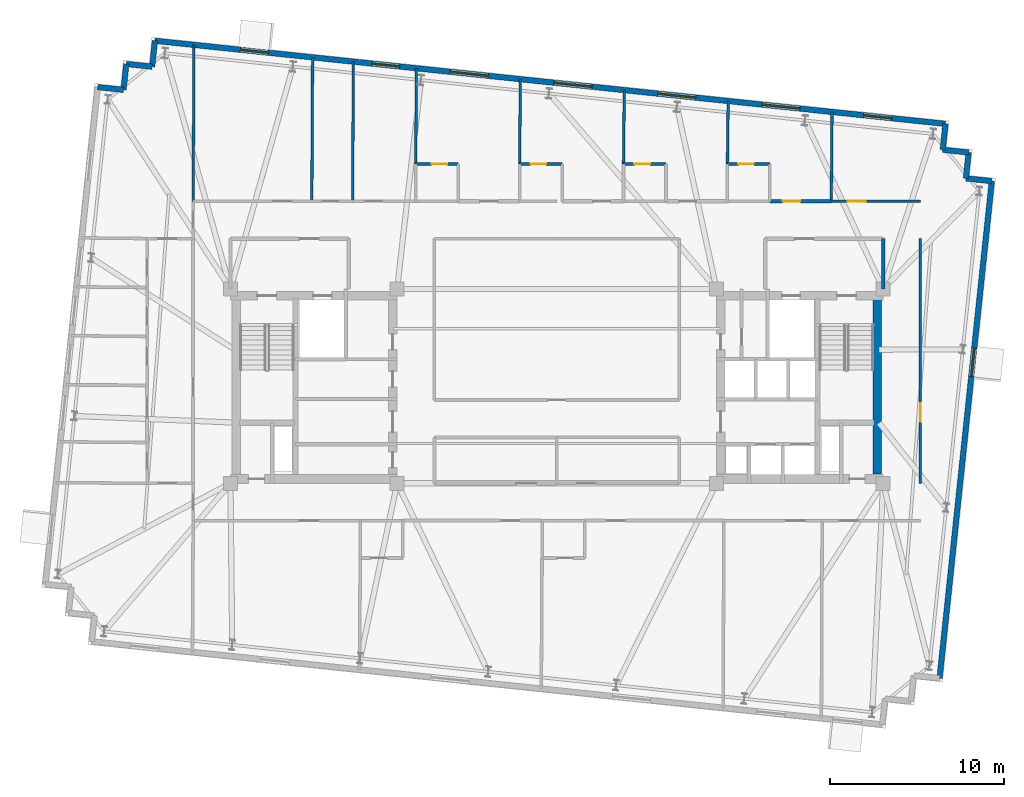
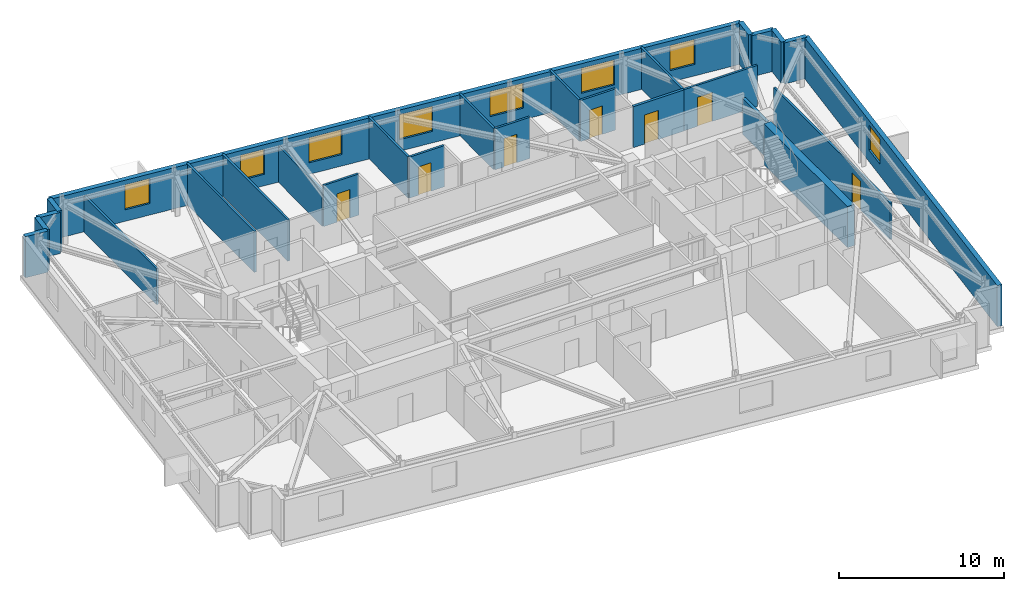
# One storey, part 9 of 12: 27 walls, 8 windows, 7 doors, 15 openings.
"""IFC4 building model written with IfcOpenShell, lengths in metres."""

from ifc_helpers import new_model, si_unit, direction, frame, frame_2d, origin, place, context, subcontext, project, spatial, rectangle, extrude, material, layer, layer_set, type_object, element, fill, save


model = new_model("IFC4")

# Units and contexts
model_context = context("Model", 3, precision=1e-05, world=origin(), true_north=direction((0.0, 1.0)))
body_context = subcontext(model_context, "Body", "Model", "MODEL_VIEW")
ifc_project = project(units=[si_unit("LENGTHUNIT", "METRE"), si_unit("AREAUNIT", "SQUARE_METRE"), si_unit("VOLUMEUNIT", "CUBIC_METRE"), si_unit("PLANEANGLEUNIT", "RADIAN"), si_unit("MASSUNIT", "GRAM", prefix="KILO")], contexts=[model_context])

# Site, building, storey
site_placement = place(None, origin())
site = spatial("IfcSite", under=ifc_project, at=site_placement, CompositionType="ELEMENT")
building_placement = place(site_placement, origin())
building = spatial("IfcBuilding", under=site, at=building_placement, Name="Qobustan Lattice House", CompositionType="ELEMENT")
storey_placement = place(building_placement, frame((0.0, 0.0, 183.0)))
storey = spatial("IfcBuildingStorey", under=building, at=storey_placement, Name="L51", CompositionType="ELEMENT", Elevation=183.0)

# Walls
ifc_material_1 = material(Name="Concrete C50/60", Category="concrete")
ifc_layer_1 = layer(ifc_material_1, 0.5)
ifc_layer_set_1 = layer_set([ifc_layer_1], Name="Concrete C50/60")
wall_type_1 = type_object("IfcWallType", Name="WAL-CORE-500", PredefinedType="SHEAR", material=ifc_layer_set_1)
wall_1_placement = place(storey_placement, frame((18.4599609375, -5.050048828125, 0.0), z_axis=(0.0, 0.0, 1.0), x_axis=(0.0, 1.0, 0.0)))
element("IfcWall", 1, at=wall_1_placement, inside=storey, type_object=wall_type_1, Name="L51 split-core shear wall CE-E", PredefinedType="SHEAR", context=body_context, shape_type="SweptSolid", body=[
    extrude(rectangle(XDim=10.10009765625, YDim=0.5, at=frame_2d((5.050048828125, 0.0))), origin(), (0.0, 0.0, 1.0), 3.0400390625),
])
ifc_material_2 = material(Name="Precast concrete C40/50", Category="concrete")
ifc_layer_2 = layer(ifc_material_2, 0.320068359375)
ifc_layer_set_2 = layer_set([ifc_layer_2], Name="Precast concrete C40/50")
wall_type_2 = type_object("IfcWallType", Name="WAL-EXT-STONE-320", PredefinedType="SOLIDWALL", material=ifc_layer_set_2)
wall_2_placement = place(storey_placement, frame((-26.452880859375, 17.228515625, 0.0), z_axis=(0.0, 0.0, 1.0), x_axis=(0.994508128223, -0.104659366031, 0.0)))
element("IfcWall", 2, at=wall_2_placement, inside=storey, type_object=wall_type_2, Name="L51 exterior limestone-clad wall 6", PredefinedType="SOLIDWALL", context=body_context, shape_type="SweptSolid", body=[
    extrude(rectangle(XDim=1.5, YDim=0.320068359375, at=frame_2d((0.75, 0.0))), origin(), (0.0, 0.0, 1.0), 3.0400390625),
])
wall_3_placement = place(storey_placement, frame((-24.961181640625, 17.071533203125, 0.0), z_axis=(0.0, 0.0, 1.0), x_axis=(0.104642427191, 0.994509910675, 0.0)))
element("IfcWall", 3, at=wall_3_placement, inside=storey, type_object=wall_type_2, Name="L51 exterior limestone-clad wall 7", PredefinedType="SOLIDWALL", context=body_context, shape_type="SweptSolid", body=[
    extrude(rectangle(XDim=1.500244140625, YDim=0.320068359375, at=frame_2d((0.75, 0.0))), origin(), (0.0, 0.0, 1.0), 3.0400390625),
])
wall_4_placement = place(storey_placement, frame((-24.80419921875, 18.5634765625, 0.0), z_axis=(0.0, 0.0, 1.0), x_axis=(0.994508128223, -0.104659366031, 0.0)))
element("IfcWall", 4, at=wall_4_placement, inside=storey, type_object=wall_type_2, Name="L51 exterior limestone-clad wall 8", PredefinedType="SOLIDWALL", context=body_context, shape_type="SweptSolid", body=[
    extrude(rectangle(XDim=1.5, YDim=0.320068359375, at=frame_2d((0.75, 0.0))), origin(), (0.0, 0.0, 1.0), 3.0400390625),
])
wall_5_placement = place(storey_placement, frame((-23.3125, 18.406494140625, 0.0), z_axis=(0.0, 0.0, 1.0), x_axis=(0.104481464157, 0.994526834051, 0.0)))
element("IfcWall", 5, at=wall_5_placement, inside=storey, type_object=wall_type_2, Name="L51 exterior limestone-clad wall 9", PredefinedType="SOLIDWALL", context=body_context, shape_type="SweptSolid", body=[
    extrude(rectangle(XDim=1.500244140625, YDim=0.320068359375, at=frame_2d((0.75, 0.0))), origin(), (0.0, 0.0, 1.0), 3.0400390625),
])

# Wall, openings, windows
wall_6_placement = place(storey_placement, frame((-23.15576171875, 19.8984375, 0.0), z_axis=(0.0, 0.0, 1.0), x_axis=(0.994522001802, -0.104527450613, 0.0)))
wall_6 = element("IfcWall", 6, at=wall_6_placement, inside=storey, type_object=wall_type_2, Name="L51 exterior limestone-clad wall 10", PredefinedType="SOLIDWALL", context=body_context, shape_type="SweptSolid", body=[
    extrude(rectangle(XDim=45.800048828125, YDim=0.320068359375, at=frame_2d((22.89990234375, 0.0))), origin(), (0.0, 0.0, 1.0), 3.0400390625),
])
opening_1_placement = place(wall_6_placement, frame((4.93994140625, 0.0, 0.85009765625)))
opening_1 = element("IfcOpeningElement", 7, at=opening_1_placement, cuts=wall_6, Name="Opening WN-09", PredefinedType="OPENING", context=body_context, shape_type="SweptSolid", body=[
    extrude(rectangle(XDim=1.64990234375, YDim=1.85009765625, at=frame_2d((0.824951171875, 0.925048828125))), frame((0.0, 0.169921875, 0.0), z_axis=(0.0, -1.0, 0.0), x_axis=(1.0, 0.0, 0.0)), (0.0, 0.0, 1.0), 0.340087890625),
])
opening_2_placement = place(wall_6_placement, frame((12.57177734375, 0.0, 0.85009765625)))
opening_2 = element("IfcOpeningElement", 8, at=opening_2_placement, cuts=wall_6, Name="Opening WN-13", PredefinedType="OPENING", context=body_context, shape_type="SweptSolid", body=[
    extrude(rectangle(XDim=1.60009765625, YDim=1.85009765625, at=frame_2d((0.800048828125, 0.925048828125))), frame((0.0, 0.169921875, 0.0), z_axis=(0.0, -1.0, 0.0), x_axis=(1.0, 0.0, 0.0)), (0.0, 0.0, 1.0), 0.340087890625),
])
opening_3_placement = place(wall_6_placement, frame((17.115966796875, 0.0, 0.85009765625)))
opening_3 = element("IfcOpeningElement", 9, at=opening_3_placement, cuts=wall_6, Name="Opening WN-03", PredefinedType="OPENING", context=body_context, shape_type="SweptSolid", body=[
    extrude(rectangle(XDim=2.199951171875, YDim=1.85009765625, at=frame_2d((1.10009765625, 0.925048828125))), frame((0.0, 0.169921875, 0.0), z_axis=(0.0, -1.0, 0.0), x_axis=(1.0, 0.0, 0.0)), (0.0, 0.0, 1.0), 0.340087890625),
])
opening_4_placement = place(wall_6_placement, frame((23.12109375, 0.0, 0.85009765625)))
opening_4 = element("IfcOpeningElement", 10, at=opening_4_placement, cuts=wall_6, Name="Opening WN-03", PredefinedType="OPENING", context=body_context, shape_type="SweptSolid", body=[
    extrude(rectangle(XDim=2.199951171875, YDim=1.85009765625, at=frame_2d((1.10009765625, 0.925048828125))), frame((0.0, 0.169921875, 0.0), z_axis=(0.0, -1.0, 0.0), x_axis=(1.0, 0.0, 0.0)), (0.0, 0.0, 1.0), 0.340087890625),
])
opening_5_placement = place(wall_6_placement, frame((29.12646484375, 0.0, 0.85009765625)))
opening_5 = element("IfcOpeningElement", 11, at=opening_5_placement, cuts=wall_6, Name="Opening WN-03", PredefinedType="OPENING", context=body_context, shape_type="SweptSolid", body=[
    extrude(rectangle(XDim=2.199951171875, YDim=1.85009765625, at=frame_2d((1.10009765625, 0.925048828125))), frame((0.0, 0.169921875, 0.0), z_axis=(0.0, -1.0, 0.0), x_axis=(1.0, 0.0, 0.0)), (0.0, 0.0, 1.0), 0.340087890625),
])
opening_6_placement = place(wall_6_placement, frame((35.171875, 0.0, 0.85009765625)))
opening_6 = element("IfcOpeningElement", 12, at=opening_6_placement, cuts=wall_6, Name="Opening WN-03", PredefinedType="OPENING", context=body_context, shape_type="SweptSolid", body=[
    extrude(rectangle(XDim=2.199951171875, YDim=1.85009765625, at=frame_2d((1.10009765625, 0.925048828125))), frame((0.0, 0.169921875, 0.0), z_axis=(0.0, -1.0, 0.0), x_axis=(1.0, 0.0, 0.0)), (0.0, 0.0, 1.0), 0.340087890625),
])
opening_7_placement = place(wall_6_placement, frame((41.0517578125, 0.0, 0.85009765625)))
opening_7 = element("IfcOpeningElement", 13, at=opening_7_placement, cuts=wall_6, Name="Opening WN-09", PredefinedType="OPENING", context=body_context, shape_type="SweptSolid", body=[
    extrude(rectangle(XDim=1.64990234375, YDim=1.85009765625, at=frame_2d((0.824951171875, 0.925048828125))), frame((0.0, 0.169921875, 0.0), z_axis=(0.0, -1.0, 0.0), x_axis=(1.0, 0.0, 0.0)), (0.0, 0.0, 1.0), 0.340087890625),
])
ifc_material_3 = material(Name="Double-glazed low-E aluminium window", Category="aluminium")
window_type_1 = type_object("IfcWindowType", Name="WIN-BED-1600x1850", PartitioningType="SINGLE_PANEL", PredefinedType="WINDOW", material=ifc_material_3)
window_1_placement = place(opening_2_placement, origin())
window_1 = element("IfcWindow", 14, at=window_1_placement, inside=storey, type_object=window_type_1, Name="L51 Laundry utility room window", OverallHeight=1.85009765625, OverallWidth=1.60009765625, PartitioningType="SINGLE_PANEL", PredefinedType="WINDOW", context=body_context, shape_type="SweptSolid", body=[
    extrude(rectangle(XDim=1.60009765625, YDim=1.85009765625, at=frame_2d((0.800048828125, 0.925048828125))), frame((0.0, 0.030029296875, 0.0), z_axis=(0.0, -1.0, 0.0), x_axis=(1.0, 0.0, 0.0)), (0.0, 0.0, 1.0), 0.06005859375),
])
fill(opening_2, window_1)
ifc_material_4 = material(Name="Double-glazed low-E aluminium window", Category="aluminium")
window_type_2 = type_object("IfcWindowType", Name="WIN-STU-1650x1850", PartitioningType="SINGLE_PANEL", PredefinedType="WINDOW", material=ifc_material_4)
window_2_placement = place(opening_1_placement, origin())
window_2 = element("IfcWindow", 15, at=window_2_placement, inside=storey, type_object=window_type_2, Name="L51 Focus study room N1 window", OverallHeight=1.85009765625, OverallWidth=1.64990234375, PartitioningType="SINGLE_PANEL", PredefinedType="WINDOW", context=body_context, shape_type="SweptSolid", body=[
    extrude(rectangle(XDim=1.64990234375, YDim=1.85009765625, at=frame_2d((0.824951171875, 0.925048828125))), frame((0.0, 0.030029296875, 0.0), z_axis=(0.0, -1.0, 0.0), x_axis=(1.0, 0.0, 0.0)), (0.0, 0.0, 1.0), 0.06005859375),
])
fill(opening_1, window_2)
window_3_placement = place(opening_7_placement, origin())
window_3 = element("IfcWindow", 16, at=window_3_placement, inside=storey, type_object=window_type_2, Name="L51 Focus study room N7 window", OverallHeight=1.85009765625, OverallWidth=1.64990234375, PartitioningType="SINGLE_PANEL", PredefinedType="WINDOW", context=body_context, shape_type="SweptSolid", body=[
    extrude(rectangle(XDim=1.64990234375, YDim=1.85009765625, at=frame_2d((0.824951171875, 0.925048828125))), frame((0.0, 0.030029296875, 0.0), z_axis=(0.0, -1.0, 0.0), x_axis=(1.0, 0.0, 0.0)), (0.0, 0.0, 1.0), 0.06005859375),
])
fill(opening_7, window_3)
ifc_material_5 = material(Name="Double-glazed low-E aluminium window", Category="aluminium")
window_type_3 = type_object("IfcWindowType", Name="WIN-WIDE-2200x1850", PartitioningType="SINGLE_PANEL", PredefinedType="WINDOW", material=ifc_material_5)
window_4_placement = place(opening_3_placement, origin())
window_4 = element("IfcWindow", 17, at=window_4_placement, inside=storey, type_object=window_type_3, Name="L51 Kitchenette and studio apartment L51-N3 window", OverallHeight=1.85009765625, OverallWidth=2.199951171875, PartitioningType="SINGLE_PANEL", PredefinedType="WINDOW", context=body_context, shape_type="SweptSolid", body=[
    extrude(rectangle(XDim=2.199951171875, YDim=1.85009765625, at=frame_2d((1.10009765625, 0.925048828125))), frame((0.0, 0.030029296875, 0.0), z_axis=(0.0, -1.0, 0.0), x_axis=(1.0, 0.0, 0.0)), (0.0, 0.0, 1.0), 0.06005859375),
])
fill(opening_3, window_4)
window_5_placement = place(opening_4_placement, origin())
window_5 = element("IfcWindow", 18, at=window_5_placement, inside=storey, type_object=window_type_3, Name="L51 Kitchenette and studio apartment L51-N4 window", OverallHeight=1.85009765625, OverallWidth=2.199951171875, PartitioningType="SINGLE_PANEL", PredefinedType="WINDOW", context=body_context, shape_type="SweptSolid", body=[
    extrude(rectangle(XDim=2.199951171875, YDim=1.85009765625, at=frame_2d((1.10009765625, 0.925048828125))), frame((0.0, 0.030029296875, 0.0), z_axis=(0.0, -1.0, 0.0), x_axis=(1.0, 0.0, 0.0)), (0.0, 0.0, 1.0), 0.06005859375),
])
fill(opening_4, window_5)
window_6_placement = place(opening_5_placement, origin())
window_6 = element("IfcWindow", 19, at=window_6_placement, inside=storey, type_object=window_type_3, Name="L51 Kitchenette and studio apartment L51-N5 window", OverallHeight=1.85009765625, OverallWidth=2.199951171875, PartitioningType="SINGLE_PANEL", PredefinedType="WINDOW", context=body_context, shape_type="SweptSolid", body=[
    extrude(rectangle(XDim=2.199951171875, YDim=1.85009765625, at=frame_2d((1.10009765625, 0.925048828125))), frame((0.0, 0.030029296875, 0.0), z_axis=(0.0, -1.0, 0.0), x_axis=(1.0, 0.0, 0.0)), (0.0, 0.0, 1.0), 0.06005859375),
])
fill(opening_5, window_6)
window_7_placement = place(opening_6_placement, origin())
window_7 = element("IfcWindow", 20, at=window_7_placement, inside=storey, type_object=window_type_3, Name="L51 Kitchenette and studio apartment L51-N6 window", OverallHeight=1.85009765625, OverallWidth=2.199951171875, PartitioningType="SINGLE_PANEL", PredefinedType="WINDOW", context=body_context, shape_type="SweptSolid", body=[
    extrude(rectangle(XDim=2.199951171875, YDim=1.85009765625, at=frame_2d((1.10009765625, 0.925048828125))), frame((0.0, 0.030029296875, 0.0), z_axis=(0.0, -1.0, 0.0), x_axis=(1.0, 0.0, 0.0)), (0.0, 0.0, 1.0), 0.06005859375),
])
fill(opening_6, window_7)

# Walls
wall_7_placement = place(storey_placement, frame((22.393310546875, 15.111083984375, 0.0), z_axis=(0.0, 0.0, 1.0), x_axis=(-0.104481464157, -0.994526834051, 0.0)))
element("IfcWall", 21, at=wall_7_placement, inside=storey, type_object=wall_type_2, Name="L51 exterior limestone-clad wall 11", PredefinedType="SOLIDWALL", context=body_context, shape_type="SweptSolid", body=[
    extrude(rectangle(XDim=1.500244140625, YDim=0.320068359375, at=frame_2d((0.75, 0.0))), origin(), (0.0, 0.0, 1.0), 3.0400390625),
])
for number, where, z_axis, x_axis, name in (
    (22, (22.236572265625, 13.619140625, 0.0), (0.0, 0.0, 1.0), (0.994525057048, -0.104498377516, 0.0), "L51 exterior limestone-clad wall 12"),
    (23, (23.728271484375, 13.46240234375, 0.0), (0.0, 0.0, 1.0), (-0.104498377516, -0.994525057048, 0.0), "L51 exterior limestone-clad wall 13"),
    (24, (23.571533203125, 11.970703125, 0.0), (0.0, 0.0, 1.0), (0.994508128223, -0.104659366031, 0.0), "L51 exterior limestone-clad wall 14"),
):
    element("IfcWall", number, at=place(storey_placement, frame(where, z_axis=z_axis, x_axis=x_axis)), inside=storey, type_object=wall_type_2, Name=name, PredefinedType="SOLIDWALL", context=body_context, shape_type="SweptSolid", body=[
        extrude(rectangle(XDim=1.5, YDim=0.320068359375, at=frame_2d((0.75, 0.0))), origin(), (0.0, 0.0, 1.0), 3.0400390625),
    ])

# Wall, opening, window
wall_8_placement = place(storey_placement, frame((25.063232421875, 11.813720703125, 0.0), z_axis=(0.0, 0.0, 1.0), x_axis=(-0.104523275986, -0.99452244056, 0.0)))
wall_8 = element("IfcWall", 25, at=wall_8_placement, inside=storey, type_object=wall_type_2, Name="L51 exterior limestone-clad wall 15", PredefinedType="SOLIDWALL", context=body_context, shape_type="SweptSolid", body=[
    extrude(rectangle(XDim=28.7998046875, YDim=0.320068359375, at=frame_2d((14.39990234375, 0.0))), origin(), (0.0, 0.0, 1.0), 3.0400390625),
])
opening_8_placement = place(wall_8_placement, frame((9.68408203125, 0.0, 0.85009765625)))
opening_8 = element("IfcOpeningElement", 26, at=opening_8_placement, cuts=wall_8, Name="Opening WN-09", PredefinedType="OPENING", context=body_context, shape_type="SweptSolid", body=[
    extrude(rectangle(XDim=1.64990234375, YDim=1.85009765625, at=frame_2d((0.824951171875, 0.925048828125))), frame((0.0, 0.169921875, 0.0), z_axis=(0.0, -1.0, 0.0), x_axis=(1.0, 0.0, 0.0)), (0.0, 0.0, 1.0), 0.340087890625),
])
window_8_placement = place(opening_8_placement, origin())
window_8 = element("IfcWindow", 27, at=window_8_placement, inside=storey, type_object=window_type_2, Name="L51 Communal study lounge window", OverallHeight=1.85009765625, OverallWidth=1.64990234375, PartitioningType="SINGLE_PANEL", PredefinedType="WINDOW", context=body_context, shape_type="SweptSolid", body=[
    extrude(rectangle(XDim=1.64990234375, YDim=1.85009765625, at=frame_2d((0.824951171875, 0.925048828125))), frame((0.0, 0.030029296875, 0.0), z_axis=(0.0, -1.0, 0.0), x_axis=(1.0, 0.0, 0.0)), (0.0, 0.0, 1.0), 0.06005859375),
])
fill(opening_8, window_8)

# Wall, opening, door
ifc_material_6 = material(Name="Gypsum fireboard acoustic partition", Category="gypsum")
ifc_layer_3 = layer(ifc_material_6, 0.179931640625)
ifc_layer_set_3 = layer_set([ifc_layer_3], Name="Gypsum fireboard acoustic partition")
wall_type_3 = type_object("IfcWallType", Name="WAL-FIRE-180", PredefinedType="PARTITIONING", material=ifc_layer_set_3)
wall_9_placement = place(storey_placement, frame((12.279052734375, 10.64990234375, 0.0), z_axis=(0.0, 0.0, 1.0), x_axis=(1.0, 0.0, 0.0)))
wall_9 = element("IfcWall", 28, at=wall_9_placement, inside=storey, type_object=wall_type_3, Name="L51 interior partition 42", PredefinedType="PARTITIONING", context=body_context, shape_type="SweptSolid", body=[
    extrude(rectangle(XDim=3.534912109375, YDim=0.179931640625, at=frame_2d((1.767578125, 0.0))), origin(), (0.0, 0.0, 1.0), 3.0400390625),
])
opening_9_placement = place(wall_9_placement, frame((0.751953125, 0.0, 0.0)))
opening_9 = element("IfcOpeningElement", 29, at=opening_9_placement, cuts=wall_9, Name="Opening FD-02", PredefinedType="OPENING", context=body_context, shape_type="SweptSolid", body=[
    extrude(rectangle(XDim=1.0, YDim=2.14990234375, at=frame_2d((0.5, 1.074951171875))), frame((0.0, 0.099853515625, 0.0), z_axis=(0.0, -1.0, 0.0), x_axis=(1.0, 0.0, 0.0)), (0.0, 0.0, 1.0), 0.199951171875),
])
ifc_material_7 = material(Name="Persian walnut timber and steel frame door", Category="steel")
door_type_1 = type_object("IfcDoorType", Name="DOR-UNIT-FD-1000x2150", OperationType="NOTDEFINED", PredefinedType="DOOR", material=ifc_material_7)
door_1_placement = place(opening_9_placement, origin())
door_1 = element("IfcDoor", 30, at=door_1_placement, inside=storey, type_object=door_type_1, Name="L51 North-east floor corridor to Kitchenette and studio apartment L51-N6 door", OperationType="SINGLE_SWING_LEFT", OverallHeight=2.14990234375, OverallWidth=1.0, PredefinedType="DOOR", context=body_context, shape_type="SweptSolid", body=[
    extrude(rectangle(XDim=1.0, YDim=2.14990234375, at=frame_2d((0.5, 1.074951171875))), frame((0.0, 0.02490234375, 0.0), z_axis=(0.0, -1.0, 0.0), x_axis=(1.0, 0.0, 0.0)), (0.0, 0.0, 1.0), 0.050048828125),
])
fill(opening_9, door_1)

ifc_material_8 = material(Name="Acoustic twin-stud gypsum partition", Category="gypsum")
ifc_layer_4 = layer(ifc_material_8, 0.14990234375)
ifc_layer_set_4 = layer_set([ifc_layer_4], Name="Acoustic twin-stud gypsum partition")
wall_type_4 = type_object("IfcWallType", Name="WAL-PART-150", PredefinedType="PARTITIONING", material=ifc_layer_set_4)
wall_10_placement = place(storey_placement, frame((15.81396484375, 10.64990234375, 0.0), z_axis=(0.0, 0.0, 1.0), x_axis=(1.0, 0.0, 0.0)))
wall_10 = element("IfcWall", 31, at=wall_10_placement, inside=storey, type_object=wall_type_4, Name="L51 interior partition 44", PredefinedType="PARTITIONING", context=body_context, shape_type="SweptSolid", body=[
    extrude(rectangle(XDim=5.135986328125, YDim=0.14990234375, at=frame_2d((2.56787109375, 0.0))), origin(), (0.0, 0.0, 1.0), 3.0400390625),
])
opening_10_placement = place(wall_10_placement, frame((0.94580078125, 0.0, 0.0)))
opening_10 = element("IfcOpeningElement", 32, at=opening_10_placement, cuts=wall_10, Name="Opening ID-02", PredefinedType="OPENING", context=body_context, shape_type="SweptSolid", body=[
    extrude(rectangle(XDim=1.050048828125, YDim=2.14990234375, at=frame_2d((0.52490234375, 1.074951171875))), frame((0.0, 0.0849609375, 0.0), z_axis=(0.0, -1.0, 0.0), x_axis=(1.0, 0.0, 0.0)), (0.0, 0.0, 1.0), 0.169921875),
])
ifc_material_9 = material(Name="Persian walnut timber and steel frame door", Category="steel")
door_type_2 = type_object("IfcDoorType", Name="DOR-STUDY-1050x2150", OperationType="NOTDEFINED", PredefinedType="DOOR", material=ifc_material_9)
door_2_placement = place(opening_10_placement, origin())
door_2 = element("IfcDoor", 33, at=door_2_placement, inside=storey, type_object=door_type_2, Name="L51 North-east floor corridor to Focus study room N7 door", OperationType="SINGLE_SWING_RIGHT", OverallHeight=2.14990234375, OverallWidth=1.050048828125, PredefinedType="DOOR", context=body_context, shape_type="SweptSolid", body=[
    extrude(rectangle(XDim=1.050048828125, YDim=2.14990234375, at=frame_2d((0.52490234375, 1.074951171875))), frame((0.0, 0.02490234375, 0.0), z_axis=(0.0, -1.0, 0.0), x_axis=(1.0, 0.0, 0.0)), (0.0, 0.0, 1.0), 0.050048828125),
])
fill(opening_10, door_2)

wall_11_placement = place(storey_placement, frame((20.949951171875, 8.5, 0.0), z_axis=(0.0, 0.0, 1.0), x_axis=(0.0, -1.0, 0.0)))
wall_11 = element("IfcWall", 34, at=wall_11_placement, inside=storey, type_object=wall_type_4, Name="L51 interior partition 58", PredefinedType="PARTITIONING", context=body_context, shape_type="SweptSolid", body=[
    extrude(rectangle(XDim=14.10009765625, YDim=0.14990234375, at=frame_2d((7.050048828125, 0.0))), origin(), (0.0, 0.0, 1.0), 2.695068359375),
])
opening_11_placement = place(wall_11_placement, frame((9.49755859375, 0.0, 0.0)))
opening_11 = element("IfcOpeningElement", 35, at=opening_11_placement, cuts=wall_11, Name="Opening ID-02", PredefinedType="OPENING", context=body_context, shape_type="SweptSolid", body=[
    extrude(rectangle(XDim=1.050048828125, YDim=2.14990234375, at=frame_2d((0.52490234375, 1.074951171875))), frame((0.0, 0.0849609375, 0.0), z_axis=(0.0, -1.0, 0.0), x_axis=(1.0, 0.0, 0.0)), (0.0, 0.0, 1.0), 0.169921875),
])
door_3_placement = place(opening_11_placement, origin())
door_3 = element("IfcDoor", 36, at=door_3_placement, inside=storey, type_object=door_type_2, Name="L51 East wing spine gallery to Communal study lounge door", OperationType="SINGLE_SWING_RIGHT", OverallHeight=2.14990234375, OverallWidth=1.050048828125, PredefinedType="DOOR", context=body_context, shape_type="SweptSolid", body=[
    extrude(rectangle(XDim=1.050048828125, YDim=2.14990234375, at=frame_2d((0.52490234375, 1.074951171875))), frame((0.0, 0.02490234375, 0.0), z_axis=(0.0, -1.0, 0.0), x_axis=(1.0, 0.0, 0.0)), (0.0, 0.0, 1.0), 0.050048828125),
])
fill(opening_11, door_3)

# Walls
wall_12_placement = place(storey_placement, frame((-20.906005859375, 19.661865234375, 0.0), z_axis=(0.0, 0.0, 1.0), x_axis=(-0.004876272857, -0.999988110911, 0.0)))
element("IfcWall", 37, at=wall_12_placement, inside=storey, type_object=wall_type_4, Name="L51 interior partition 74", PredefinedType="PARTITIONING", context=body_context, shape_type="SweptSolid", body=[
    extrude(rectangle(XDim=9.011962890625, YDim=0.14990234375, at=frame_2d((4.505859375, 0.0))), origin(), (0.0, 0.0, 1.0), 2.6650390625),
])
wall_13_placement = place(storey_placement, frame((-8.085205078125, 18.314453125, 0.0), z_axis=(0.0, 0.0, 1.0), x_axis=(-0.007924663713, -0.99996859936, 0.0)))
element("IfcWall", 38, at=wall_13_placement, inside=storey, type_object=wall_type_4, Name="L51 interior partition 83", PredefinedType="PARTITIONING", context=body_context, shape_type="SweptSolid", body=[
    extrude(rectangle(XDim=5.5146484375, YDim=0.14990234375, at=frame_2d((2.75732421875, 0.0))), origin(), (0.0, 0.0, 1.0), 2.6650390625),
])
wall_14_placement = place(storey_placement, frame((-2.09912109375, 17.685302734375, 0.0), z_axis=(0.0, 0.0, 1.0), x_axis=(-0.008995138317, -0.999959542925, 0.0)))
element("IfcWall", 39, at=wall_14_placement, inside=storey, type_object=wall_type_4, Name="L51 interior partition 87", PredefinedType="PARTITIONING", context=body_context, shape_type="SweptSolid", body=[
    extrude(rectangle(XDim=4.885498046875, YDim=0.14990234375, at=frame_2d((2.44287109375, 0.0))), origin(), (0.0, 0.0, 1.0), 3.0400390625),
])
wall_15_placement = place(storey_placement, frame((3.886962890625, 17.05615234375, 0.0), z_axis=(0.0, 0.0, 1.0), x_axis=(-0.010324694878, -0.999946698917, 0.0)))
element("IfcWall", 40, at=wall_15_placement, inside=storey, type_object=wall_type_4, Name="L51 interior partition 91", PredefinedType="PARTITIONING", context=body_context, shape_type="SweptSolid", body=[
    extrude(rectangle(XDim=4.25634765625, YDim=0.14990234375, at=frame_2d((2.128173828125, 0.0))), origin(), (0.0, 0.0, 1.0), 3.0400390625),
])
wall_16_placement = place(storey_placement, frame((9.872802734375, 16.427001953125, 0.0), z_axis=(0.0, 0.0, 1.0), x_axis=(-0.012048129237, -0.999927418657, 0.0)))
element("IfcWall", 41, at=wall_16_placement, inside=storey, type_object=wall_type_4, Name="L51 interior partition 95", PredefinedType="PARTITIONING", context=body_context, shape_type="SweptSolid", body=[
    extrude(rectangle(XDim=3.627197265625, YDim=0.14990234375, at=frame_2d((1.8134765625, 0.0))), origin(), (0.0, 0.0, 1.0), 3.0400390625),
])
wall_17_placement = place(storey_placement, frame((15.85791015625, 15.7978515625, 0.0), z_axis=(0.0, 0.0, 1.0), x_axis=(-0.008536158681, -0.999963566334, 0.0)))
element("IfcWall", 42, at=wall_17_placement, inside=storey, type_object=wall_type_4, Name="L51 interior partition 99", PredefinedType="PARTITIONING", context=body_context, shape_type="SweptSolid", body=[
    extrude(rectangle(XDim=5.148193359375, YDim=0.14990234375, at=frame_2d((2.57421875, 0.0))), origin(), (0.0, 0.0, 1.0), 3.0400390625),
])
ifc_material_10 = material(Name="Two-hour gypsum fireboard acoustic partition", Category="gypsum")
ifc_layer_5 = layer(ifc_material_10, 0.199951171875)
ifc_layer_set_5 = layer_set([ifc_layer_5], Name="Two-hour gypsum fireboard acoustic partition")
wall_type_5 = type_object("IfcWallType", Name="WAL-PROT-200", PredefinedType="PARTITIONING", material=ifc_layer_set_5)
wall_18_placement = place(storey_placement, frame((18.800048828125, 5.60009765625, 0.0), z_axis=(0.0, 0.0, 1.0), x_axis=(0.0, 1.0, 0.0)))
element("IfcWall", 43, at=wall_18_placement, inside=storey, type_object=wall_type_5, Name="L51 interior partition 16", PredefinedType="PARTITIONING", context=body_context, shape_type="SweptSolid", body=[
    extrude(rectangle(XDim=2.89990234375, YDim=0.199951171875, at=frame_2d((1.449951171875, 0.0))), origin(), (0.0, 0.0, 1.0), 2.6650390625),
])
ifc_material_11 = material(Name="Moisture-resistant acoustic plumbing wall", Category="gypsum")
ifc_layer_6 = layer(ifc_material_11, 0.14990234375)
ifc_layer_set_6 = layer_set([ifc_layer_6], Name="Moisture-resistant acoustic plumbing wall")
wall_type_6 = type_object("IfcWallType", Name="WAL-WET-150", PredefinedType="PLUMBINGWALL", material=ifc_layer_set_6)
wall_19_placement = place(storey_placement, frame((-14.070068359375, 18.943359375, 0.0), z_axis=(0.0, 0.0, 1.0), x_axis=(-0.005298718667, -0.999985961692, 0.0)))
element("IfcWall", 44, at=wall_19_placement, inside=storey, type_object=wall_type_6, Name="L51 interior partition 81", PredefinedType="PLUMBINGWALL", context=body_context, shape_type="SweptSolid", body=[
    extrude(rectangle(XDim=8.29345703125, YDim=0.14990234375, at=frame_2d((4.146728515625, 0.0))), origin(), (0.0, 0.0, 1.0), 3.0400390625),
])
wall_20_placement = place(storey_placement, frame((-11.72021484375, 18.696533203125, 0.0), z_axis=(0.0, 0.0, 1.0), x_axis=(-0.005430909924, -0.9999852525, 0.0)))
element("IfcWall", 45, at=wall_20_placement, inside=storey, type_object=wall_type_6, Name="L51 interior partition 82", PredefinedType="PLUMBINGWALL", context=body_context, shape_type="SweptSolid", body=[
    extrude(rectangle(XDim=8.046630859375, YDim=0.14990234375, at=frame_2d((4.0234375, 0.0))), origin(), (0.0, 0.0, 1.0), 3.0400390625),
])

# Wall, opening, door
wall_21_placement = place(storey_placement, frame((-5.678955078125, 12.800048828125, 0.0), z_axis=(0.0, 0.0, 1.0), x_axis=(-1.0, 0.0, 0.0)))
wall_21 = element("IfcWall", 46, at=wall_21_placement, inside=storey, type_object=wall_type_6, Name="L51 interior partition 85", PredefinedType="PLUMBINGWALL", context=body_context, shape_type="SweptSolid", body=[
    extrude(rectangle(XDim=2.449951171875, YDim=0.14990234375, at=frame_2d((1.22509765625, 0.0))), origin(), (0.0, 0.0, 1.0), 3.0400390625),
])
opening_12_placement = place(wall_21_placement, frame((0.628662109375, 0.0, 0.0)))
opening_12 = element("IfcOpeningElement", 47, at=opening_12_placement, cuts=wall_21, Name="Opening WD-01", PredefinedType="OPENING", context=body_context, shape_type="SweptSolid", body=[
    extrude(rectangle(XDim=0.89990234375, YDim=2.10009765625, at=frame_2d((0.449951171875, 1.050048828125))), frame((0.0, 0.0849609375, 0.0), z_axis=(0.0, -1.0, 0.0), x_axis=(1.0, 0.0, 0.0)), (0.0, 0.0, 1.0), 0.169921875),
])
ifc_material_12 = material(Name="Persian walnut timber and steel frame door", Category="steel")
door_type_3 = type_object("IfcDoorType", Name="DOR-WET-900x2100", OperationType="NOTDEFINED", PredefinedType="DOOR", material=ifc_material_12)
door_4_placement = place(opening_12_placement, origin())
door_4 = element("IfcDoor", 48, at=door_4_placement, inside=storey, type_object=door_type_3, Name="L51 Kitchenette and studio apartment L51-N3 to En-suite bathroom L51-N3 door", OperationType="SINGLE_SWING_LEFT", OverallHeight=2.10009765625, OverallWidth=0.89990234375, PredefinedType="DOOR", context=body_context, shape_type="SweptSolid", body=[
    extrude(rectangle(XDim=0.89990234375, YDim=2.10009765625, at=frame_2d((0.449951171875, 1.050048828125))), frame((0.0, 0.02490234375, 0.0), z_axis=(0.0, -1.0, 0.0), x_axis=(1.0, 0.0, 0.0)), (0.0, 0.0, 1.0), 0.050048828125),
])
fill(opening_12, door_4)

wall_22_placement = place(storey_placement, frame((0.306884765625, 12.800048828125, 0.0), z_axis=(0.0, 0.0, 1.0), x_axis=(-1.0, 0.0, 0.0)))
wall_22 = element("IfcWall", 49, at=wall_22_placement, inside=storey, type_object=wall_type_6, Name="L51 interior partition 89", PredefinedType="PLUMBINGWALL", context=body_context, shape_type="SweptSolid", body=[
    extrude(rectangle(XDim=2.449951171875, YDim=0.14990234375, at=frame_2d((1.22509765625, 0.0))), origin(), (0.0, 0.0, 1.0), 3.0400390625),
])
opening_13_placement = place(wall_22_placement, frame((0.921142578125, 0.0, 0.0)))
opening_13 = element("IfcOpeningElement", 50, at=opening_13_placement, cuts=wall_22, Name="Opening WD-01", PredefinedType="OPENING", context=body_context, shape_type="SweptSolid", body=[
    extrude(rectangle(XDim=0.89990234375, YDim=2.10009765625, at=frame_2d((0.449951171875, 1.050048828125))), frame((0.0, 0.0849609375, 0.0), z_axis=(0.0, -1.0, 0.0), x_axis=(1.0, 0.0, 0.0)), (0.0, 0.0, 1.0), 0.169921875),
])
door_5_placement = place(opening_13_placement, origin())
door_5 = element("IfcDoor", 51, at=door_5_placement, inside=storey, type_object=door_type_3, Name="L51 Kitchenette and studio apartment L51-N4 to En-suite bathroom L51-N4 door", OperationType="SINGLE_SWING_RIGHT", OverallHeight=2.10009765625, OverallWidth=0.89990234375, PredefinedType="DOOR", context=body_context, shape_type="SweptSolid", body=[
    extrude(rectangle(XDim=0.89990234375, YDim=2.10009765625, at=frame_2d((0.449951171875, 1.050048828125))), frame((0.0, 0.02490234375, 0.0), z_axis=(0.0, -1.0, 0.0), x_axis=(1.0, 0.0, 0.0)), (0.0, 0.0, 1.0), 0.050048828125),
])
fill(opening_13, door_5)

wall_23_placement = place(storey_placement, frame((6.29296875, 12.800048828125, 0.0), z_axis=(0.0, 0.0, 1.0), x_axis=(-1.0, 0.0, 0.0)))
wall_23 = element("IfcWall", 52, at=wall_23_placement, inside=storey, type_object=wall_type_6, Name="L51 interior partition 93", PredefinedType="PLUMBINGWALL", context=body_context, shape_type="SweptSolid", body=[
    extrude(rectangle(XDim=2.449951171875, YDim=0.14990234375, at=frame_2d((1.22509765625, 0.0))), origin(), (0.0, 0.0, 1.0), 3.0400390625),
])
opening_14_placement = place(wall_23_placement, frame((0.92138671875, 0.0, 0.0)))
opening_14 = element("IfcOpeningElement", 53, at=opening_14_placement, cuts=wall_23, Name="Opening WD-01", PredefinedType="OPENING", context=body_context, shape_type="SweptSolid", body=[
    extrude(rectangle(XDim=0.89990234375, YDim=2.10009765625, at=frame_2d((0.449951171875, 1.050048828125))), frame((0.0, 0.0849609375, 0.0), z_axis=(0.0, -1.0, 0.0), x_axis=(1.0, 0.0, 0.0)), (0.0, 0.0, 1.0), 0.169921875),
])
door_6_placement = place(opening_14_placement, origin())
door_6 = element("IfcDoor", 54, at=door_6_placement, inside=storey, type_object=door_type_3, Name="L51 Kitchenette and studio apartment L51-N5 to En-suite bathroom L51-N5 door", OperationType="SINGLE_SWING_LEFT", OverallHeight=2.10009765625, OverallWidth=0.89990234375, PredefinedType="DOOR", context=body_context, shape_type="SweptSolid", body=[
    extrude(rectangle(XDim=0.89990234375, YDim=2.10009765625, at=frame_2d((0.449951171875, 1.050048828125))), frame((0.0, 0.02490234375, 0.0), z_axis=(0.0, -1.0, 0.0), x_axis=(1.0, 0.0, 0.0)), (0.0, 0.0, 1.0), 0.050048828125),
])
fill(opening_14, door_6)

wall_24_placement = place(storey_placement, frame((12.279052734375, 12.800048828125, 0.0), z_axis=(0.0, 0.0, 1.0), x_axis=(-1.0, 0.0, 0.0)))
wall_24 = element("IfcWall", 55, at=wall_24_placement, inside=storey, type_object=wall_type_6, Name="L51 interior partition 97", PredefinedType="PLUMBINGWALL", context=body_context, shape_type="SweptSolid", body=[
    extrude(rectangle(XDim=2.449951171875, YDim=0.14990234375, at=frame_2d((1.22509765625, 0.0))), origin(), (0.0, 0.0, 1.0), 3.0400390625),
])
opening_15_placement = place(wall_24_placement, frame((0.921142578125, 0.0, 0.0)))
opening_15 = element("IfcOpeningElement", 56, at=opening_15_placement, cuts=wall_24, Name="Opening WD-01", PredefinedType="OPENING", context=body_context, shape_type="SweptSolid", body=[
    extrude(rectangle(XDim=0.89990234375, YDim=2.10009765625, at=frame_2d((0.449951171875, 1.050048828125))), frame((0.0, 0.0849609375, 0.0), z_axis=(0.0, -1.0, 0.0), x_axis=(1.0, 0.0, 0.0)), (0.0, 0.0, 1.0), 0.169921875),
])
door_7_placement = place(opening_15_placement, origin())
door_7 = element("IfcDoor", 57, at=door_7_placement, inside=storey, type_object=door_type_3, Name="L51 Kitchenette and studio apartment L51-N6 to En-suite bathroom L51-N6 door", OperationType="SINGLE_SWING_RIGHT", OverallHeight=2.10009765625, OverallWidth=0.89990234375, PredefinedType="DOOR", context=body_context, shape_type="SweptSolid", body=[
    extrude(rectangle(XDim=0.89990234375, YDim=2.10009765625, at=frame_2d((0.449951171875, 1.050048828125))), frame((0.0, 0.02490234375, 0.0), z_axis=(0.0, -1.0, 0.0), x_axis=(1.0, 0.0, 0.0)), (0.0, 0.0, 1.0), 0.050048828125),
])
fill(opening_15, door_7)

save(model, "model.ifc")
